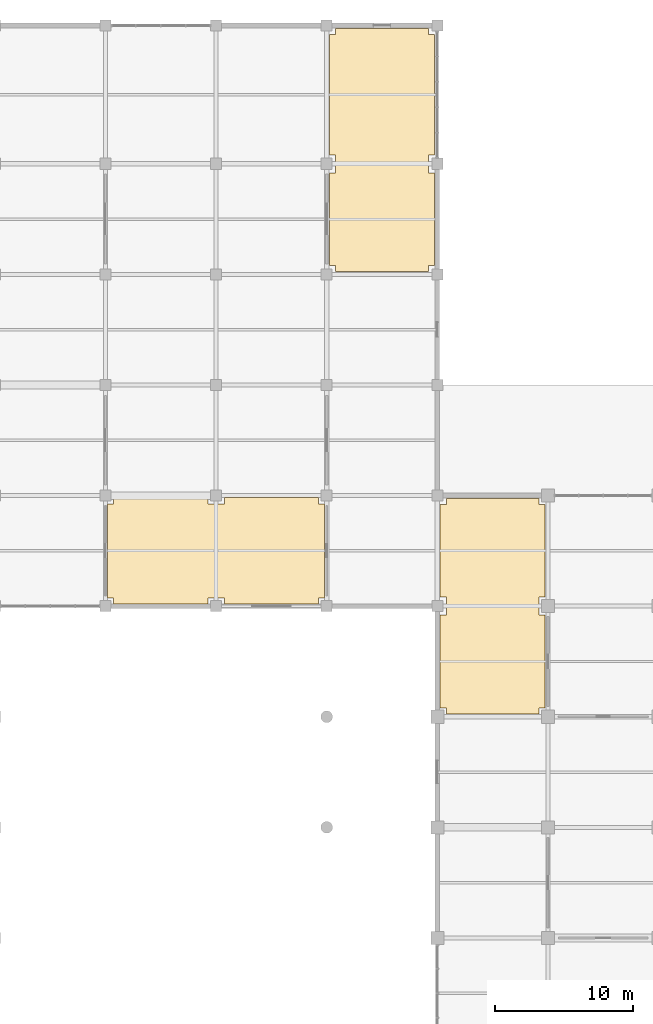
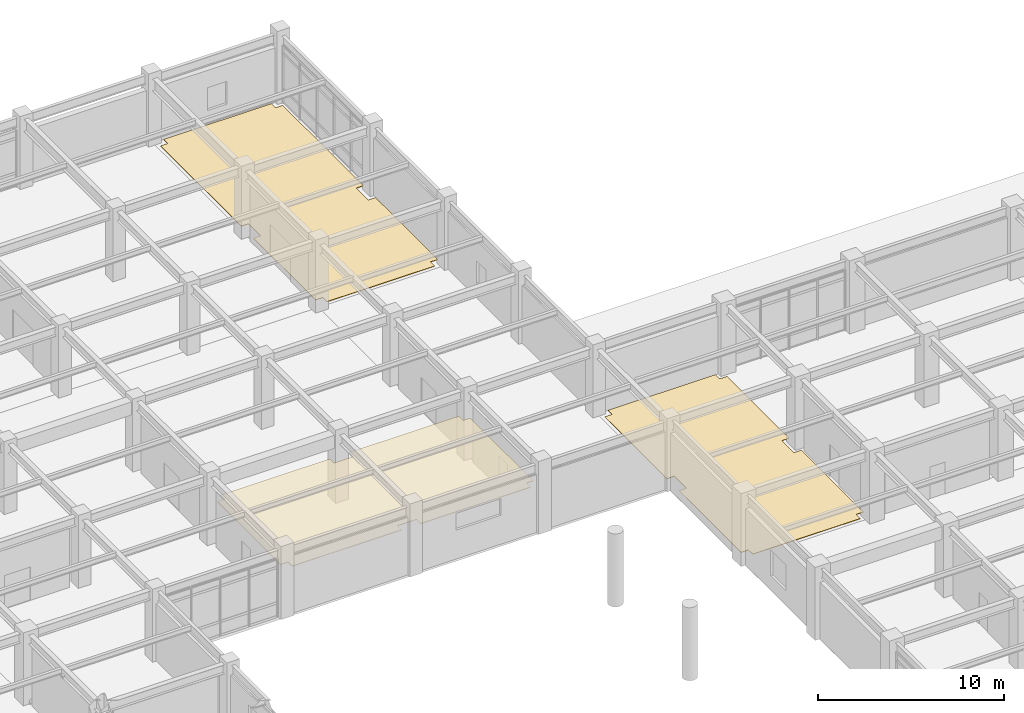
# One storey, part 109 of 109: 3 coverings.
"""IFC4 building model written with IfcOpenShell, lengths in metres."""

from ifc_helpers import new_model, si_unit, direction, frame, origin, place, context, subcontext, project, spatial, polyline, outline, extrude, material, layer, layer_set, type_object, element, save


model = new_model("IFC4")

# Units and contexts
model_context = context("Model", 3, precision=1e-05, world=origin(), true_north=direction((0.0, 1.0)))
body_context = subcontext(model_context, "Body", "Model", "MODEL_VIEW")
ifc_project = project(units=[si_unit("LENGTHUNIT", "METRE"), si_unit("AREAUNIT", "SQUARE_METRE"), si_unit("VOLUMEUNIT", "CUBIC_METRE"), si_unit("PLANEANGLEUNIT", "RADIAN"), si_unit("MASSUNIT", "GRAM", prefix="KILO")], contexts=[model_context])

# Site, building, storey
site_placement = place(None, origin())
site = spatial("IfcSite", under=ifc_project, at=site_placement, CompositionType="ELEMENT")
building_placement = place(site_placement, origin())
building = spatial("IfcBuilding", under=site, at=building_placement, Name="Haebicheon Civic Stadium", CompositionType="ELEMENT")
storey_placement = place(building_placement, frame((0.0, 0.0, 9.60009765625)))
storey = spatial("IfcBuildingStorey", under=building, at=storey_placement, Name="L03", CompositionType="ELEMENT", Elevation=9.60009765625)

# Coverings
ifc_material_1 = material(Name="Perforated mineral-fibre acoustic board", Category="gypsum")
ifc_layer_1 = layer(ifc_material_1, 0.0400390625, Name="Perforated mineral-fibre acoustic board")
ifc_layer_set_1 = layer_set([ifc_layer_1], Name="Perforated mineral-fibre acoustic board")
covering_type_1 = type_object("IfcCoveringType", Name="COV-CLG-AC", PredefinedType="CEILING", material=ifc_layer_set_1)
covering_1_placement = place(storey_placement, frame((0.0, 0.0, 2.809814453125)))
element("IfcCovering", 1, at=covering_1_placement, inside=storey, type_object=covering_type_1, material=ifc_layer_set_1, Name="L03 Community Seminar Room acoustic ceiling", PredefinedType="CEILING", context=body_context, shape_type="SweptSolid", body=[
    extrude(outline(polyline([(176.14501953125, 143.405029296875), (176.594970703125, 143.405029296875), (176.594970703125, 143.85498046875), (183.405029296875, 143.85498046875), (183.405029296875, 143.405029296875), (184.594970703125, 143.405029296875), (184.594970703125, 143.85498046875), (191.405029296875, 143.85498046875), (191.405029296875, 143.405029296875), (191.85498046875, 143.405029296875), (191.85498046875, 136.594970703125), (191.405029296875, 136.594970703125), (191.405029296875, 136.14501953125), (184.594970703125, 136.14501953125), (184.594970703125, 136.594970703125), (183.405029296875, 136.594970703125), (183.405029296875, 136.14501953125), (176.594970703125, 136.14501953125), (176.594970703125, 136.594970703125), (176.14501953125, 136.594970703125), (176.14501953125, 143.405029296875)])), origin(), (0.0, 0.0, 1.0), 0.0400390625),
])
ifc_material_2 = material(Name="Quartz epoxy resin mortar", Category="concrete")
ifc_layer_2 = layer(ifc_material_2, 0.030029296875, Name="Quartz epoxy resin mortar")
ifc_layer_set_2 = layer_set([ifc_layer_2], Name="Quartz epoxy resin mortar")
covering_type_2 = type_object("IfcCoveringType", Name="COV-FLR-EPX", PredefinedType="FLOORING", material=ifc_layer_set_2)
covering_2_placement = place(storey_placement, origin())
element("IfcCovering", 2, at=covering_2_placement, inside=storey, type_object=covering_type_2, material=ifc_layer_set_2, Name="L03 Sports Medicine Rehabilitation Clinic non-slip floor finish", PredefinedType="FLOORING", context=body_context, shape_type="SweptSolid", body=[
    extrude(outline(polyline([(200.64990234375, 128.199951171875), (200.64990234375, 128.64990234375), (200.199951171875, 128.64990234375), (200.199951171875, 135.35009765625), (200.64990234375, 135.35009765625), (200.64990234375, 136.64990234375), (200.199951171875, 136.64990234375), (200.199951171875, 143.35009765625), (200.64990234375, 143.35009765625), (200.64990234375, 143.800048828125), (207.35009765625, 143.800048828125), (207.35009765625, 143.35009765625), (207.800048828125, 143.35009765625), (207.800048828125, 136.64990234375), (207.35009765625, 136.64990234375), (207.35009765625, 135.35009765625), (207.800048828125, 135.35009765625), (207.800048828125, 128.64990234375), (207.35009765625, 128.64990234375), (207.35009765625, 128.199951171875), (200.64990234375, 128.199951171875)])), origin(), (0.0, 0.0, 1.0), 0.02978515625),
])
covering_3_placement = place(storey_placement, origin())
element("IfcCovering", 3, at=covering_3_placement, inside=storey, type_object=covering_type_2, material=ifc_layer_set_2, Name="L03 Civic Banquet Hall non-slip floor finish", PredefinedType="FLOORING", context=body_context, shape_type="SweptSolid", body=[
    extrude(outline(polyline([(192.64990234375, 160.199951171875), (192.64990234375, 160.64990234375), (192.199951171875, 160.64990234375), (192.199951171875, 167.35009765625), (192.64990234375, 167.35009765625), (192.64990234375, 168.64990234375), (192.199951171875, 168.64990234375), (192.199951171875, 177.35009765625), (192.64990234375, 177.35009765625), (192.64990234375, 177.800048828125), (199.35009765625, 177.800048828125), (199.35009765625, 177.35009765625), (199.800048828125, 177.35009765625), (199.800048828125, 168.64990234375), (199.35009765625, 168.64990234375), (199.35009765625, 167.35009765625), (199.800048828125, 167.35009765625), (199.800048828125, 160.64990234375), (199.35009765625, 160.64990234375), (199.35009765625, 160.199951171875), (192.64990234375, 160.199951171875)])), origin(), (0.0, 0.0, 1.0), 0.02978515625),
])

save(model, "model.ifc")
